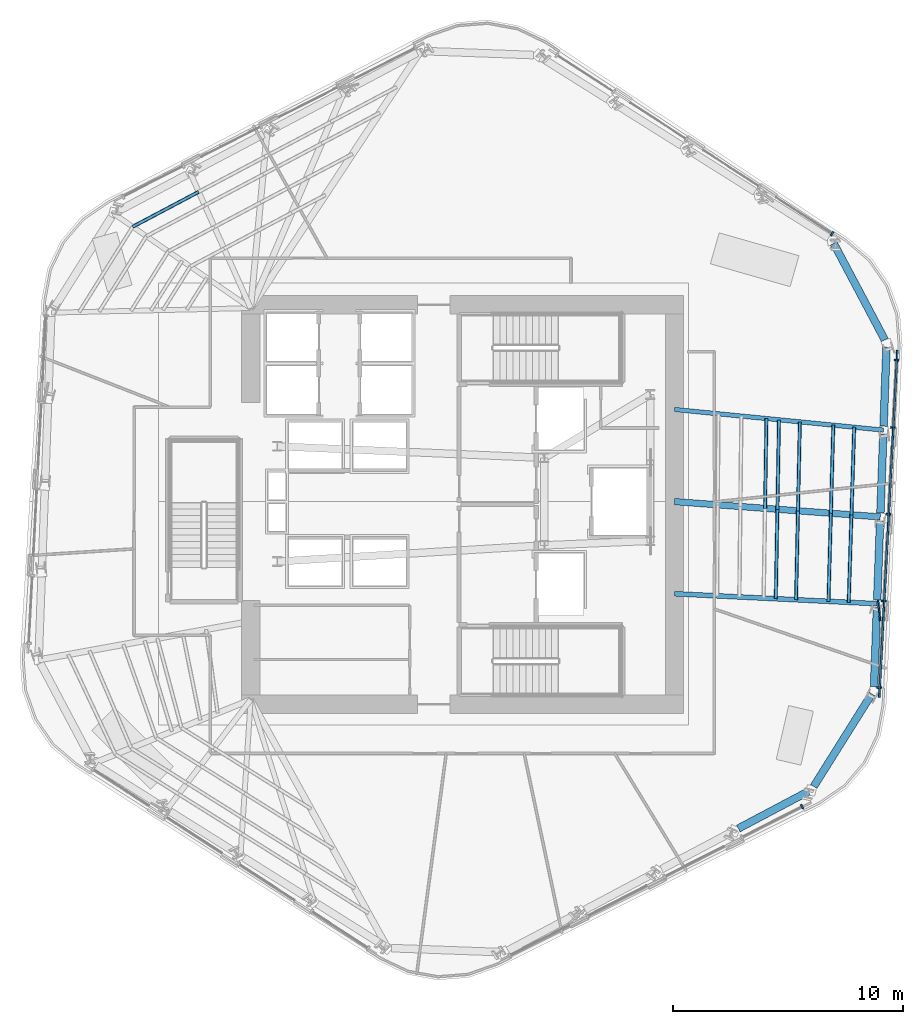
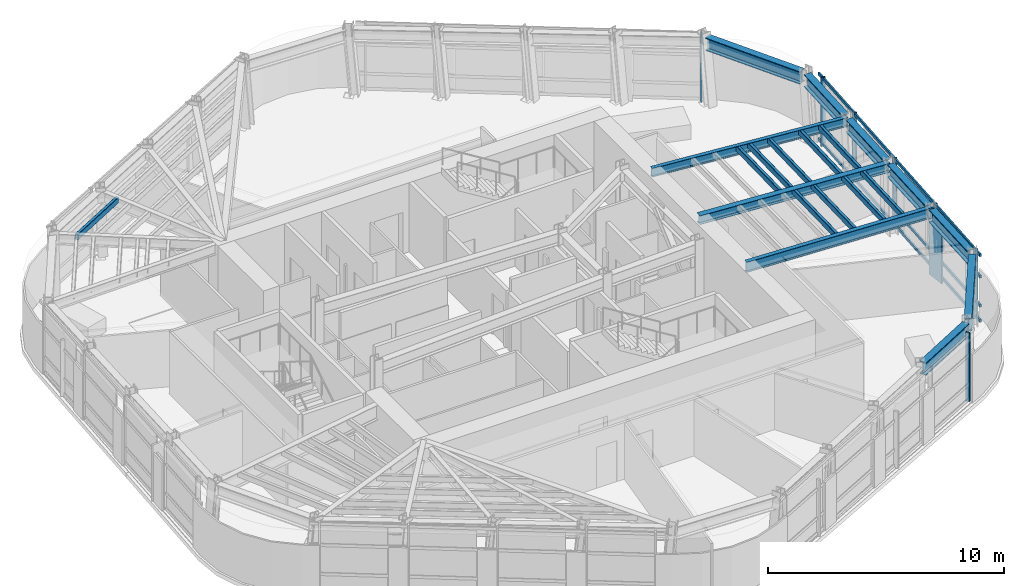
# One storey, part 4 of 14: 22 members, 10 beams, 3 elements without a shape of their own.
"""IFC4 building model written with IfcOpenShell, lengths in metres."""

from ifc_helpers import new_model, si_unit, direction, frame, origin, origin_2d, place, context, subcontext, project, spatial, rectangle, hollow_rectangle, i_section, extrude, material, layer, layer_set, material_profile, profile_set, type_object, element, aggregate, save


model = new_model("IFC4")

# Units and contexts
model_context = context("Model", 3, precision=1e-05, world=origin(), true_north=direction((0.0, 1.0)))
body_context = subcontext(model_context, "Body", "Model", "MODEL_VIEW")
ifc_project = project(units=[si_unit("LENGTHUNIT", "METRE"), si_unit("AREAUNIT", "SQUARE_METRE"), si_unit("VOLUMEUNIT", "CUBIC_METRE"), si_unit("PLANEANGLEUNIT", "RADIAN"), si_unit("MASSUNIT", "GRAM", prefix="KILO")], contexts=[model_context])

# Site, building, storey
site_placement = place(None, origin())
site = spatial("IfcSite", under=ifc_project, at=site_placement, CompositionType="ELEMENT")
building_placement = place(site_placement, origin())
building = spatial("IfcBuilding", under=site, at=building_placement, Name="Valkerne Bourse Tower", CompositionType="ELEMENT")
storey_placement = place(building_placement, frame((0.0, 0.0, 140.0)))
storey = spatial("IfcBuildingStorey", under=building, at=storey_placement, Name="L35", CompositionType="ELEMENT", Elevation=140.0)

# Beams
ifc_material_1 = material(Name="Steel ASTM A992", Category="steel")
ifc_material_profile_1 = material_profile(ifc_material_1, i_section(OverallWidth=0.1904296875, OverallDepth=0.457275390625, WebThickness=0.009033203125, FlangeThickness=0.014404296875, FilletRadius=0.01513671875, at=origin_2d()), Name="W18X50")
ifc_profile_set_1 = profile_set([ifc_material_profile_1], Name="Steel ASTM A992")
beam_type_1 = type_object("IfcBeamType", Name="BM-W18X50", PredefinedType="JOIST", material=ifc_profile_set_1)
beam_1_placement = place(storey_placement, frame((65.069091796875, 30.103515625, 3.351318359375), z_axis=(-0.995149804243, 0.098371068489, 0.0), x_axis=(-0.098371068489, -0.995149804243, 0.0)))
element("IfcBeam", 1, at=beam_1_placement, inside=storey, type_object=beam_type_1, Name="L35 Radial Composite Floor Beam 28", PredefinedType="JOIST", context=body_context, shape_type="SweptSolid", body=[
    extrude(i_section(OverallWidth=0.1904296875, OverallDepth=0.457275390625, WebThickness=0.009033203125, FlangeThickness=0.014404296875, FilletRadius=0.01513671875, at=origin_2d()), origin(), (0.0, 0.0, 1.0), 9.11328125),
])
ifc_material_profile_2 = material_profile(ifc_material_1, i_section(OverallWidth=0.279296875, OverallDepth=0.46240234375, WebThickness=0.0107421875, FlangeThickness=0.017333984375, FilletRadius=0.017822265625, at=origin_2d()), Name="W18X76")
ifc_profile_set_2 = profile_set([ifc_material_profile_2], Name="Steel ASTM A992")
beam_type_2 = type_object("IfcBeamType", Name="BM-W18X76", PredefinedType="BEAM", material=ifc_profile_set_2)
beam_2_placement = place(storey_placement, frame((64.930908203125, 26.335205078125, 3.348876953125), z_axis=(-0.997240985996, 0.074232175306, 0.0), x_axis=(-0.074232175306, -0.997240985996, 0.0)))
element("IfcBeam", 2, at=beam_2_placement, inside=storey, type_object=beam_type_2, Name="L35 Radial Composite Floor Beam 27", PredefinedType="BEAM", context=body_context, shape_type="SweptSolid", body=[
    extrude(i_section(OverallWidth=0.279296875, OverallDepth=0.46240234375, WebThickness=0.0107421875, FlangeThickness=0.017333984375, FilletRadius=0.017822265625, at=origin_2d()), origin(), (0.0, 0.0, 1.0), 8.95556640625),
])
ifc_material_profile_3 = material_profile(ifc_material_1, i_section(OverallWidth=0.209228515625, OverallDepth=0.533447265625, WebThickness=0.01025390625, FlangeThickness=0.015625, FilletRadius=0.017822265625, at=origin_2d()), Name="W21X62")
ifc_profile_set_3 = profile_set([ifc_material_profile_3], Name="Steel ASTM A992")
beam_type_3 = type_object("IfcBeamType", Name="BM-W21X62", PredefinedType="JOIST", material=ifc_profile_set_3)
beam_3_placement = place(storey_placement, frame((64.79296875, 22.566650390625, 3.313232421875), z_axis=(-0.998787768662, 0.049223908523, 0.0), x_axis=(-0.049223908523, -0.998787768662, 0.0)))
element("IfcBeam", 3, at=beam_3_placement, inside=storey, type_object=beam_type_3, Name="L35 Radial Composite Floor Beam 26", PredefinedType="JOIST", context=body_context, shape_type="SweptSolid", body=[
    extrude(i_section(OverallWidth=0.209228515625, OverallDepth=0.533447265625, WebThickness=0.01025390625, FlangeThickness=0.015625, FilletRadius=0.017822265625, at=origin_2d()), origin(), (0.0, 0.0, 1.0), 8.8037109375),
])
ifc_material_profile_4 = material_profile(ifc_material_1, i_section(OverallWidth=0.330078125, OverallDepth=0.647705078125, WebThickness=0.0205078125, FlangeThickness=0.037109375, FilletRadius=0.020263671875, at=origin_2d()), Name="W24X192")
ifc_profile_set_4 = profile_set([ifc_material_profile_4], Name="Steel ASTM A992")
beam_type_4 = type_object("IfcBeamType", Name="BM-W24X192", PredefinedType="SPANDREL", material=ifc_profile_set_4)
beam_4_placement = place(storey_placement, frame((58.772705078125, 12.809814453125, 3.256103515625), z_axis=(0.883767145391, 0.467926952342, 0.0), x_axis=(-0.467926952342, 0.883767145391, 0.0)))
element("IfcBeam", 4, at=beam_4_placement, inside=storey, type_object=beam_type_4, Name="L35 Hexagonal Spandrel Ring Beam 23", PredefinedType="SPANDREL", context=body_context, shape_type="SweptSolid", body=[
    extrude(i_section(OverallWidth=0.330078125, OverallDepth=0.647705078125, WebThickness=0.0205078125, FlangeThickness=0.037109375, FilletRadius=0.020263671875, at=origin_2d()), origin(), (0.0, 0.0, 1.0), 3.430908203125),
])
beam_5_placement = place(storey_placement, frame((62.04541015625, 14.638916015625, 3.256103515625), z_axis=(0.531428752109, 0.847102993403, 0.0), x_axis=(-0.847102993403, 0.531428752109, 0.0)))
element("IfcBeam", 5, at=beam_5_placement, inside=storey, type_object=beam_type_4, Name="L35 Hexagonal Spandrel Ring Beam 24", PredefinedType="SPANDREL", context=body_context, shape_type="SweptSolid", body=[
    extrude(i_section(OverallWidth=0.330078125, OverallDepth=0.647705078125, WebThickness=0.0205078125, FlangeThickness=0.037109375, FilletRadius=0.020263671875, at=origin_2d()), origin(), (0.0, 0.0, 1.0), 4.740234375),
])
for number, where, z_axis, x_axis, name in (
    (6, (64.660888671875, 18.968017578125, 3.256103515625), (0.036645833286, 0.999328315872, 0.0), (-0.999328315872, 0.036645833286, 0.0), "L35 Hexagonal Spandrel Ring Beam 25"),
    (7, (64.799072265625, 22.736572265625, 3.256103515625), (0.036645833286, 0.999328315872, 0.0), (-0.999328315872, 0.036645833286, 0.0), "L35 Hexagonal Spandrel Ring Beam 26"),
):
    element("IfcBeam", number, at=place(storey_placement, frame(where, z_axis=z_axis, x_axis=x_axis)), inside=storey, type_object=beam_type_4, Name=name, PredefinedType="SPANDREL", context=body_context, shape_type="SweptSolid", body=[
        extrude(i_section(OverallWidth=0.330078125, OverallDepth=0.647705078125, WebThickness=0.0205078125, FlangeThickness=0.037109375, FilletRadius=0.020263671875, at=origin_2d()), origin(), (0.0, 0.0, 1.0), 3.430908203125),
    ])
beam_6_placement = place(storey_placement, frame((64.937255859375, 26.505126953125, 3.256103515625), z_axis=(0.036648439326, 0.999328220304, 0.0), x_axis=(-0.999328220304, 0.036648439326, 0.0)))
element("IfcBeam", 8, at=beam_6_placement, inside=storey, type_object=beam_type_4, Name="L35 Hexagonal Spandrel Ring Beam 27", PredefinedType="SPANDREL", context=body_context, shape_type="SweptSolid", body=[
    extrude(i_section(OverallWidth=0.330078125, OverallDepth=0.647705078125, WebThickness=0.0205078125, FlangeThickness=0.037109375, FilletRadius=0.020263671875, at=origin_2d()), origin(), (0.0, 0.0, 1.0), 3.4306640625),
])
beam_7_placement = place(storey_placement, frame((65.075439453125, 30.2734375, 3.256103515625), z_axis=(0.036645833286, 0.999328315872, 0.0), x_axis=(-0.999328315872, 0.036645833286, 0.0)))
element("IfcBeam", 9, at=beam_7_placement, inside=storey, type_object=beam_type_4, Name="L35 Hexagonal Spandrel Ring Beam 28", PredefinedType="SPANDREL", context=body_context, shape_type="SweptSolid", body=[
    extrude(i_section(OverallWidth=0.330078125, OverallDepth=0.647705078125, WebThickness=0.0205078125, FlangeThickness=0.037109375, FilletRadius=0.020263671875, at=origin_2d()), origin(), (0.0, 0.0, 1.0), 3.430908203125),
])
beam_8_placement = place(storey_placement, frame((65.1279296875, 34.022216796875, 3.256103515625), z_axis=(-0.467920850187, 0.883770376263, 0.0), x_axis=(-0.883770376263, -0.467920850187, 0.0)))
element("IfcBeam", 10, at=beam_8_placement, inside=storey, type_object=beam_type_4, Name="L35 Hexagonal Spandrel Ring Beam 29", PredefinedType="SPANDREL", context=body_context, shape_type="SweptSolid", body=[
    extrude(i_section(OverallWidth=0.330078125, OverallDepth=0.647705078125, WebThickness=0.0205078125, FlangeThickness=0.037109375, FilletRadius=0.020263671875, at=origin_2d()), origin(), (0.0, 0.0, 1.0), 4.740234375),
])

# Curtain wall, member
ifc_material_2 = material(Name="Aluminium AA 6063-T6", Category="aluminium")
ifc_layer = layer(ifc_material_2, 0.235107421875)
ifc_layer_set = layer_set([ifc_layer], Name="Aluminium AA 6063-T6")
curtain_wall_type = type_object("IfcCurtainWallType", Name="CW-03", PredefinedType="NOTDEFINED", material=ifc_layer_set)
curtain_wall_1_placement = place(storey_placement, origin())
curtain_wall_1 = element("IfcCurtainWall", 11, at=curtain_wall_1_placement, inside=storey, type_object=curtain_wall_type, Name="L35 Hexagonal Stick Curtain Wall Face 1", PredefinedType="NOTDEFINED")
ifc_material_profile_5 = material_profile(ifc_material_2, rectangle(XDim=0.074951171875, YDim=0.199951171875, at=origin_2d()), Name="CWM-75X200")
ifc_profile_set_5 = profile_set([ifc_material_profile_5], Name="Aluminium AA 6063-T6")
member_type_1 = type_object("IfcMemberType", Name="CW-MUL-220X75", PredefinedType="MULLION", material=ifc_profile_set_5)
member_1_placement = place(storey_placement, frame((62.839599609375, 38.622314453125, 0.0), z_axis=(0.0, 0.0, 1.0), x_axis=(-0.838668314411, 0.544642505137, 0.0)))
member_1 = element("IfcMember", 12, at=member_1_placement, type_object=member_type_1, Name="CW-L35-F1 Jamb Mullion 00A", PredefinedType="MULLION", context=body_context, shape_type="SweptSolid", body=[
    extrude(rectangle(XDim=0.074951171875, YDim=0.199951171875, at=origin_2d()), origin(), (0.0, 0.0, 1.0), 3.580078125),
])
aggregate(curtain_wall_1, [member_1])

curtain_wall_2_placement = place(storey_placement, origin())
curtain_wall_2 = element("IfcCurtainWall", 13, at=curtain_wall_2_placement, inside=storey, type_object=curtain_wall_type, Name="L35 Hexagonal Stick Curtain Wall Face 5", PredefinedType="NOTDEFINED")
member_2_placement = place(storey_placement, frame((61.536865234375, 13.7646484375, 0.0), z_axis=(0.0, 0.0, 1.0), x_axis=(0.891007115267, 0.453989339681, 0.0)))
member_2 = element("IfcMember", 14, at=member_2_placement, type_object=member_type_1, Name="CW-L35-F5 Jamb Mullion 03B", PredefinedType="MULLION", context=body_context, shape_type="SweptSolid", body=[
    extrude(rectangle(XDim=0.074951171875, YDim=0.199951171875, at=origin_2d()), origin(), (0.0, 0.0, 1.0), 3.580078125),
])
aggregate(curtain_wall_2, [member_2])

# Curtain wall, members
curtain_wall_3_placement = place(storey_placement, origin())
curtain_wall_3 = element("IfcCurtainWall", 15, at=curtain_wall_3_placement, inside=storey, type_object=curtain_wall_type, Name="L35 Hexagonal Stick Curtain Wall Face 6", PredefinedType="NOTDEFINED")
member_3_placement = place(storey_placement, frame((64.885009765625, 18.92041015625, 0.0), z_axis=(0.0, 0.0, 1.0), x_axis=(0.052347270988, 0.99862894171, 0.0)))
member_3 = element("IfcMember", 16, at=member_3_placement, type_object=member_type_1, Name="CW-L35-F6 Jamb Mullion 00A", PredefinedType="MULLION", context=body_context, shape_type="SweptSolid", body=[
    extrude(rectangle(XDim=0.074951171875, YDim=0.199951171875, at=origin_2d()), origin(), (0.0, 0.0, 1.0), 3.580078125),
])
member_4_placement = place(storey_placement, frame((65.08251953125, 22.686279296875, 0.0), z_axis=(0.0, 0.0, 1.0), x_axis=(0.052345884761, 0.998629014374, 0.0)))
member_4 = element("IfcMember", 17, at=member_4_placement, type_object=member_type_1, Name="CW-L35-F6 Jamb Mullion 01A", PredefinedType="MULLION", context=body_context, shape_type="SweptSolid", body=[
    extrude(rectangle(XDim=0.074951171875, YDim=0.199951171875, at=origin_2d()), origin(), (0.0, 0.0, 1.0), 3.580078125),
])
member_5_placement = place(storey_placement, frame((65.27978515625, 26.4521484375, 0.0), z_axis=(0.0, 0.0, 1.0), x_axis=(0.052320825223, 0.998630327623, 0.0)))
member_5 = element("IfcMember", 18, at=member_5_placement, type_object=member_type_1, Name="CW-L35-F6 Jamb Mullion 02A", PredefinedType="MULLION", context=body_context, shape_type="SweptSolid", body=[
    extrude(rectangle(XDim=0.074951171875, YDim=0.199951171875, at=origin_2d()), origin(), (0.0, 0.0, 1.0), 3.580078125),
])
member_6_placement = place(storey_placement, frame((65.477294921875, 30.218017578125, 0.0), z_axis=(0.0, 0.0, 1.0), x_axis=(0.052347270988, 0.99862894171, 0.0)))
member_6 = element("IfcMember", 19, at=member_6_placement, type_object=member_type_1, Name="CW-L35-F6 Jamb Mullion 03A", PredefinedType="MULLION", context=body_context, shape_type="SweptSolid", body=[
    extrude(rectangle(XDim=0.074951171875, YDim=0.199951171875, at=origin_2d()), origin(), (0.0, 0.0, 1.0), 3.580078125),
])
member_7_placement = place(storey_placement, frame((65.630615234375, 33.14501953125, 0.0), z_axis=(0.0, 0.0, 1.0), x_axis=(0.052347270988, 0.99862894171, 0.0)))
member_7 = element("IfcMember", 20, at=member_7_placement, type_object=member_type_1, Name="CW-L35-F6 Jamb Mullion 03B", PredefinedType="MULLION", context=body_context, shape_type="SweptSolid", body=[
    extrude(rectangle(XDim=0.074951171875, YDim=0.199951171875, at=origin_2d()), origin(), (0.0, 0.0, 1.0), 3.580078125),
])
ifc_material_profile_6 = material_profile(ifc_material_2, rectangle(XDim=0.074951171875, YDim=0.14990234375, at=origin_2d()), Name="CWT-75X150")
ifc_profile_set_6 = profile_set([ifc_material_profile_6], Name="Aluminium AA 6063-T6")
member_type_2 = type_object("IfcMemberType", Name="CW-TRN-180X65", PredefinedType="USERDEFINED", material=ifc_profile_set_6)
member_8_placement = place(storey_placement, frame((64.883056640625, 18.5, 0.1201171875), z_axis=(0.052343904572, 0.998629118169, 0.0), x_axis=(-0.998629118169, 0.052343904572, 0.0)))
member_8 = element("IfcMember", 21, at=member_8_placement, type_object=member_type_2, Name="CW-L35-F6 Continuous Face Transom 1", ObjectType="TRANSOM", PredefinedType="USERDEFINED", context=body_context, shape_type="SweptSolid", body=[
    extrude(rectangle(XDim=0.074951171875, YDim=0.14990234375, at=origin_2d()), origin(), (0.0, 0.0, 1.0), 15.083984375),
])
member_9_placement = place(storey_placement, frame((64.883056640625, 18.5, 0.89990234375), z_axis=(0.052343904572, 0.998629118169, 0.0), x_axis=(-0.998629118169, 0.052343904572, 0.0)))
member_9 = element("IfcMember", 22, at=member_9_placement, type_object=member_type_2, Name="CW-L35-F6 Continuous Face Transom 2", ObjectType="TRANSOM", PredefinedType="USERDEFINED", context=body_context, shape_type="SweptSolid", body=[
    extrude(rectangle(XDim=0.074951171875, YDim=0.14990234375, at=origin_2d()), origin(), (0.0, 0.0, 1.0), 15.083984375),
])
member_10_placement = place(storey_placement, frame((64.883056640625, 18.5, 2.39990234375), z_axis=(0.052343904572, 0.998629118169, 0.0), x_axis=(-0.998629118169, 0.052343904572, 0.0)))
member_10 = element("IfcMember", 23, at=member_10_placement, type_object=member_type_2, Name="CW-L35-F6 Continuous Face Transom 3", ObjectType="TRANSOM", PredefinedType="USERDEFINED", context=body_context, shape_type="SweptSolid", body=[
    extrude(rectangle(XDim=0.074951171875, YDim=0.14990234375, at=origin_2d()), origin(), (0.0, 0.0, 1.0), 15.083984375),
])
member_11_placement = place(storey_placement, frame((64.883056640625, 18.5, 3.5), z_axis=(0.052343904572, 0.998629118169, 0.0), x_axis=(-0.998629118169, 0.052343904572, 0.0)))
member_11 = element("IfcMember", 24, at=member_11_placement, type_object=member_type_2, Name="CW-L35-F6 Continuous Face Transom 4", ObjectType="TRANSOM", PredefinedType="USERDEFINED", context=body_context, shape_type="SweptSolid", body=[
    extrude(rectangle(XDim=0.074951171875, YDim=0.14990234375, at=origin_2d()), origin(), (0.0, 0.0, 1.0), 15.083984375),
])
aggregate(curtain_wall_3, [member_8, member_9, member_10, member_11, member_3, member_4, member_5, member_6, member_7])

# Members
ifc_material_3 = material(Name="Bronze Anodised Aluminium AA 6063-T6", Category="aluminium")
ifc_material_profile_7 = material_profile(ifc_material_3, rectangle(XDim=0.070068359375, YDim=0.89990234375, at=origin_2d()), Name="FIN-70X900")
ifc_profile_set_7 = profile_set([ifc_material_profile_7], Name="Bronze Anodised Aluminium AA 6063-T6")
member_type_3 = type_object("IfcMemberType", Name="FIN-SOLAR-900", PredefinedType="USERDEFINED", material=ifc_profile_set_7)
member_12_placement = place(storey_placement, frame((64.880859375, 22.276123046875, 0.00390625), z_axis=(0.0, 0.0, 1.0), x_axis=(0.994353125709, 0.106121917592, 0.0)))
element("IfcMember", 25, at=member_12_placement, inside=storey, type_object=member_type_3, Name="L35 Bronze Anodised Solar Fin F6-01", ObjectType="SOLAR_FIN", PredefinedType="USERDEFINED", context=body_context, shape_type="SweptSolid", body=[
    extrude(rectangle(XDim=0.070068359375, YDim=0.89990234375, at=origin_2d()), origin(), (0.0, 0.0, 1.0), 3.572021484375),
])
ifc_material_4 = material(Name="Steel ASTM A500 Grade C", Category="steel")
ifc_material_profile_8 = material_profile(ifc_material_4, hollow_rectangle(XDim=0.14990234375, YDim=0.300048828125, WallThickness=0.012451171875, OuterFilletRadius=0.02490234375, at=origin_2d()), Name="HSS300X150X12.5")
ifc_profile_set_8 = profile_set([ifc_material_profile_8], Name="Steel ASTM A500 Grade C")
member_type_4 = type_object("IfcMemberType", Name="MBR-HSS300X150X12.5", PredefinedType="PURLIN", material=ifc_profile_set_8)
member_13_placement = place(storey_placement, frame((59.9296875, 26.70751953125, 3.419921875), z_axis=(0.015592768079, 0.999878425402, 0.0), x_axis=(-0.999878425402, 0.015592768079, 0.0)))
element("IfcMember", 26, at=member_13_placement, inside=storey, type_object=member_type_4, Name="L35 Secondary Composite Floor Purlin K-27", PredefinedType="PURLIN", context=body_context, shape_type="SweptSolid", body=[
    extrude(hollow_rectangle(XDim=0.14990234375, YDim=0.300048828125, WallThickness=0.012451171875, OuterFilletRadius=0.02490234375, at=origin_2d()), origin(), (0.0, 0.0, 1.0), 3.898681640625),
])
for number, where, z_axis, x_axis, name in (
    (27, (60.396484375, 22.783203125, 3.419921875), (0.017784741699, 0.999841838974, 0.0), (-0.999841838974, 0.017784741699, 0.0), "L35 Secondary Composite Floor Purlin M-26"),
    (28, (60.465576171875, 26.66748046875, 3.419921875), (0.017784741699, 0.999841838974, 0.0), (-0.999841838974, 0.017784741699, 0.0), "L35 Secondary Composite Floor Purlin M-27"),
):
    element("IfcMember", number, at=place(storey_placement, frame(where, z_axis=z_axis, x_axis=x_axis)), inside=storey, type_object=member_type_4, Name=name, PredefinedType="PURLIN", context=body_context, shape_type="SweptSolid", body=[
        extrude(hollow_rectangle(XDim=0.14990234375, YDim=0.300048828125, WallThickness=0.012451171875, OuterFilletRadius=0.02490234375, at=origin_2d()), origin(), (0.0, 0.0, 1.0), 3.885009765625),
    ])
member_14_placement = place(storey_placement, frame((62.6826171875, 22.670654296875, 3.419921875), z_axis=(0.02744114345, 0.999623420917, 0.0), x_axis=(-0.999623420917, 0.02744114345, 0.0)))
element("IfcMember", 29, at=member_14_placement, inside=storey, type_object=member_type_4, Name="L35 Secondary Composite Floor Purlin O-26", PredefinedType="PURLIN", context=body_context, shape_type="SweptSolid", body=[
    extrude(hollow_rectangle(XDim=0.14990234375, YDim=0.300048828125, WallThickness=0.012451171875, OuterFilletRadius=0.02490234375, at=origin_2d()), origin(), (0.0, 0.0, 1.0), 3.82568359375),
])
member_15_placement = place(storey_placement, frame((62.78759765625, 26.494873046875, 3.419921875), z_axis=(0.027444644979, 0.999623324789, 0.0), x_axis=(-0.999623324789, 0.027444644979, 0.0)))
element("IfcMember", 30, at=member_15_placement, inside=storey, type_object=member_type_4, Name="L35 Secondary Composite Floor Purlin O-27", PredefinedType="PURLIN", context=body_context, shape_type="SweptSolid", body=[
    extrude(hollow_rectangle(XDim=0.14990234375, YDim=0.300048828125, WallThickness=0.012451171875, OuterFilletRadius=0.02490234375, at=origin_2d()), origin(), (0.0, 0.0, 1.0), 3.8251953125),
])
for number, where, z_axis, x_axis, name in (
    (31, (61.275634765625, 22.739990234375, 3.419921875), (0.02149361082, 0.999768985663, 0.0), (-0.999768985663, 0.02149361082, 0.0), "L35 Secondary Composite Floor Purlin Z-26"),
    (32, (61.358642578125, 26.60107421875, 3.419921875), (0.021430423394, 0.999770342105, 0.0), (-0.999770342105, 0.021430423394, 0.0), "L35 Secondary Composite Floor Purlin Z-27"),
):
    element("IfcMember", number, at=place(storey_placement, frame(where, z_axis=z_axis, x_axis=x_axis)), inside=storey, type_object=member_type_4, Name=name, PredefinedType="PURLIN", context=body_context, shape_type="SweptSolid", body=[
        extrude(hollow_rectangle(XDim=0.14990234375, YDim=0.300048828125, WallThickness=0.012451171875, OuterFilletRadius=0.02490234375, at=origin_2d()), origin(), (0.0, 0.0, 1.0), 3.862060546875),
    ])
member_16_placement = place(storey_placement, frame((35.3447265625, 40.447998046875, 3.419921875), z_axis=(-0.883765942279, -0.467929224634, 0.0), x_axis=(0.467929224634, -0.883765942279, 0.0)))
element("IfcMember", 33, at=member_16_placement, inside=storey, type_object=member_type_4, Name="L35 Secondary Composite Floor Purlin T-08", PredefinedType="PURLIN", context=body_context, shape_type="SweptSolid", body=[
    extrude(hollow_rectangle(XDim=0.14990234375, YDim=0.300048828125, WallThickness=0.012451171875, OuterFilletRadius=0.02490234375, at=origin_2d()), origin(), (0.0, 0.0, 1.0), 3.2431640625),
])
for number, where, z_axis, x_axis, name in (
    (34, (63.56201171875, 22.62744140625, 3.419921875), (0.031202682155, 0.999513077767, 0.0), (-0.999513077767, 0.031202682155, 0.0), "L35 Secondary Composite Floor Purlin T-26"),
    (35, (63.6806640625, 26.42822265625, 3.419921875), (0.031266822504, 0.999511073381, 0.0), (-0.999511073381, 0.031266822504, 0.0), "L35 Secondary Composite Floor Purlin T-27"),
):
    element("IfcMember", number, at=place(storey_placement, frame(where, z_axis=z_axis, x_axis=x_axis)), inside=storey, type_object=member_type_4, Name=name, PredefinedType="PURLIN", context=body_context, shape_type="SweptSolid", body=[
        extrude(hollow_rectangle(XDim=0.14990234375, YDim=0.300048828125, WallThickness=0.012451171875, OuterFilletRadius=0.02490234375, at=origin_2d()), origin(), (0.0, 0.0, 1.0), 3.802734375),
    ])

save(model, "model.ifc")
